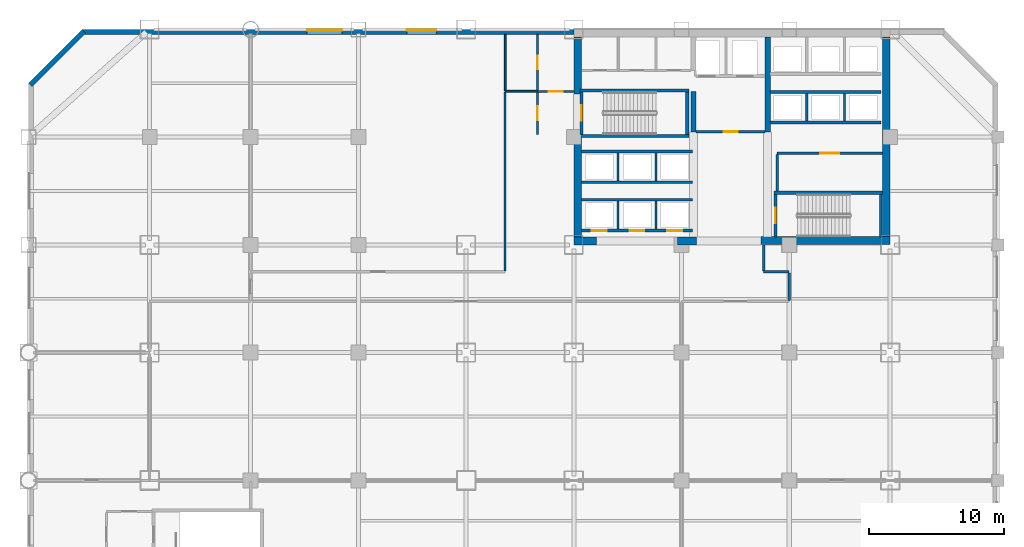
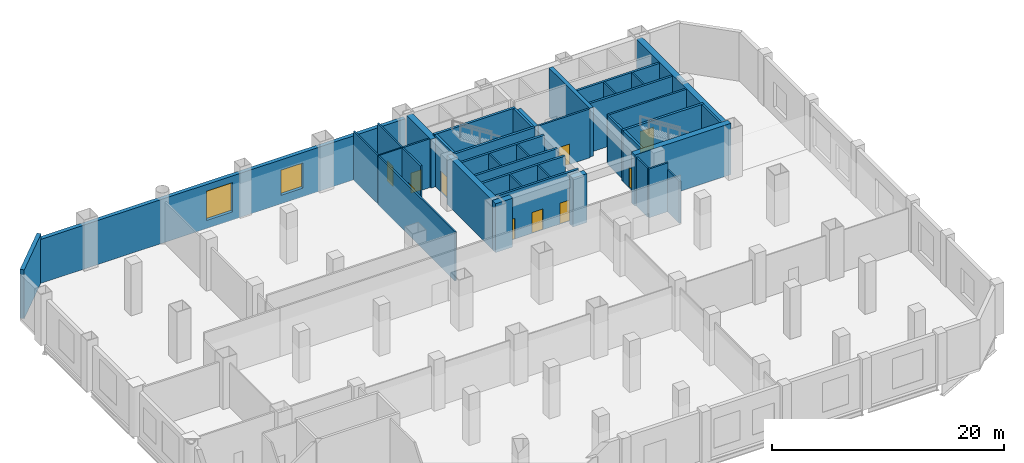
# One storey, part 6 of 9: 41 walls, 10 doors, 2 windows, 12 openings.
"""IFC4 building model written with IfcOpenShell, lengths in metres."""

from ifc_helpers import new_model, si_unit, direction, frame, frame_2d, origin, place, context, subcontext, project, spatial, rectangle, extrude, material, layer, layer_set, type_object, element, fill, save


model = new_model("IFC4")

# Units and contexts
model_context = context("Model", 3, precision=1e-05, world=origin(), true_north=direction((0.0, 1.0)))
body_context = subcontext(model_context, "Body", "Model", "MODEL_VIEW")
ifc_project = project(units=[si_unit("LENGTHUNIT", "METRE"), si_unit("AREAUNIT", "SQUARE_METRE"), si_unit("VOLUMEUNIT", "CUBIC_METRE"), si_unit("PLANEANGLEUNIT", "RADIAN"), si_unit("MASSUNIT", "GRAM", prefix="KILO")], contexts=[model_context])

# Site, building, storey
site_placement = place(None, origin())
site = spatial("IfcSite", under=ifc_project, at=site_placement, CompositionType="ELEMENT")
building_placement = place(site_placement, origin())
building = spatial("IfcBuilding", under=site, at=building_placement, Name="Qianrong Seaharbour Tower", CompositionType="ELEMENT")
storey_placement = place(building_placement, frame((0.0, 0.0, 22.800048828125)))
storey = spatial("IfcBuildingStorey", under=building, at=storey_placement, Name="L05", CompositionType="ELEMENT", Elevation=22.800048828125)

# Walls
ifc_material_1 = material(Name="Concrete C70/85", Category="concrete")
ifc_layer_1 = layer(ifc_material_1, 0.580078125)
ifc_layer_set_1 = layer_set([ifc_layer_1], Name="Concrete C70/85")
wall_type_1 = type_object("IfcWallType", Name="WALL-CORE-580", PredefinedType="SHEAR", material=ifc_layer_set_1)
wall_1_placement = place(storey_placement, frame((63.7099609375, 36.320068359375, 0.0), z_axis=(0.0, 0.0, 1.0), x_axis=(0.0, 1.0, 0.0)))
element("IfcWall", 1, at=wall_1_placement, inside=storey, type_object=wall_type_1, Name="L05 East Core Shear Wall", PredefinedType="SHEAR", context=body_context, shape_type="SweptSolid", body=[
    extrude(rectangle(XDim=15.099853515625, YDim=0.580078125, at=frame_2d((7.5498046875, 0.0))), origin(), (0.0, 0.0, 1.0), 5.14990234375),
])
wall_2_placement = place(storey_placement, frame((40.7900390625, 36.580078125, 0.0), z_axis=(0.0, 0.0, 1.0), x_axis=(0.0, 1.0, 0.0)))
element("IfcWall", 2, at=wall_2_placement, inside=storey, type_object=wall_type_1, Name="L05 West Core Shear Wall South", PredefinedType="SHEAR", context=body_context, shape_type="SweptSolid", body=[
    extrude(rectangle(XDim=7.81982421875, YDim=0.580078125, at=frame_2d((3.909912109375, 0.0))), origin(), (0.0, 0.0, 1.0), 5.14990234375),
])
wall_3_placement = place(storey_placement, frame((40.7900390625, 47.199951171875, 0.0), z_axis=(0.0, 0.0, 1.0), x_axis=(0.0, 1.0, 0.0)))
element("IfcWall", 3, at=wall_3_placement, inside=storey, type_object=wall_type_1, Name="L05 West Core Shear Wall North", PredefinedType="SHEAR", context=body_context, shape_type="SweptSolid", body=[
    extrude(rectangle(XDim=4.219970703125, YDim=0.580078125, at=frame_2d((2.10986328125, 0.0))), origin(), (0.0, 0.0, 1.0), 5.14990234375),
])
wall_4_placement = place(storey_placement, frame((40.5, 36.2900390625, 0.0), z_axis=(0.0, 0.0, 1.0), x_axis=(1.0, 0.0, 0.0)))
element("IfcWall", 4, at=wall_4_placement, inside=storey, type_object=wall_type_1, Name="L05 South Core Shear Wall S1", PredefinedType="SHEAR", context=body_context, shape_type="SweptSolid", body=[
    extrude(rectangle(XDim=1.699951171875, YDim=0.580078125, at=frame_2d((0.85009765625, 0.0))), origin(), (0.0, 0.0, 1.0), 5.14990234375),
])
wall_5_placement = place(storey_placement, frame((48.199951171875, 36.2900390625, 0.0), z_axis=(0.0, 0.0, 1.0), x_axis=(1.0, 0.0, 0.0)))
element("IfcWall", 5, at=wall_5_placement, inside=storey, type_object=wall_type_1, Name="L05 South Core Shear Wall S2", PredefinedType="SHEAR", context=body_context, shape_type="SweptSolid", body=[
    extrude(rectangle(XDim=1.400146484375, YDim=0.580078125, at=frame_2d((0.7001953125, 0.0))), origin(), (0.0, 0.0, 1.0), 5.14990234375),
])
wall_6_placement = place(storey_placement, frame((54.39990234375, 36.320068359375, 0.0), z_axis=(0.0, 0.0, 1.0), x_axis=(1.0, 0.0, 0.0)))
element("IfcWall", 6, at=wall_6_placement, inside=storey, type_object=wall_type_1, Name="L05 South Core Shear Wall S3", PredefinedType="SHEAR", context=body_context, shape_type="SweptSolid", body=[
    extrude(rectangle(XDim=9.60009765625, YDim=0.580078125, at=frame_2d((4.800048828125, 0.0))), origin(), (0.0, 0.0, 1.0), 5.39990234375),
])
ifc_material_2 = material(Name="Concrete C60/75", Category="concrete")
ifc_layer_2 = layer(ifc_material_2, 0.3798828125)
ifc_layer_set_2 = layer_set([ifc_layer_2], Name="Concrete C60/75")
wall_type_2 = type_object("IfcWallType", Name="WALL-CORE-INT-380", PredefinedType="SHEAR", material=ifc_layer_set_2)
wall_7_placement = place(storey_placement, frame((49.39990234375, 44.39990234375, 0.0), z_axis=(0.0, 0.0, 1.0), x_axis=(0.0, 1.0, 0.0)))
element("IfcWall", 7, at=wall_7_placement, inside=storey, type_object=wall_type_2, Name="L05 Internal Core Shear Wall IW1N1", PredefinedType="SHEAR", context=body_context, shape_type="SweptSolid", body=[
    extrude(rectangle(XDim=3.0, YDim=0.3798828125, at=frame_2d((1.5, 0.0))), origin(), (0.0, 0.0, 1.0), 5.14990234375),
])
wall_8_placement = place(storey_placement, frame((54.89990234375, 44.39990234375, 0.0), z_axis=(0.0, 0.0, 1.0), x_axis=(0.0, 1.0, 0.0)))
element("IfcWall", 8, at=wall_8_placement, inside=storey, type_object=wall_type_2, Name="L05 Internal Core Shear Wall IW2N", PredefinedType="SHEAR", context=body_context, shape_type="SweptSolid", body=[
    extrude(rectangle(XDim=7.02001953125, YDim=0.3798828125, at=frame_2d((3.510009765625, 0.0))), origin(), (0.0, 0.0, 1.0), 5.14990234375),
])

# Wall, opening, door
ifc_material_3 = material(Name="Fire-rated acoustic gypsum board partition")
ifc_layer_3 = layer(ifc_material_3, 0.1650390625)
ifc_layer_set_3 = layer_set([ifc_layer_3], Name="Fire-rated acoustic gypsum board partition")
wall_type_3 = type_object("IfcWallType", Name="WALL-CORR-PART-165", PredefinedType="PARTITIONING", material=ifc_layer_set_3)
wall_9_placement = place(storey_placement, frame((37.800048828125, 47.39990234375, 0.0), z_axis=(0.0, 0.0, 1.0), x_axis=(1.0, 0.0, 0.0)))
wall_9 = element("IfcWall", 9, at=wall_9_placement, inside=storey, type_object=wall_type_3, Name="L05 Interior Partition Wall 001", PredefinedType="PARTITIONING", context=body_context, shape_type="SweptSolid", body=[
    extrude(rectangle(XDim=2.699951171875, YDim=0.1650390625, at=frame_2d((1.35009765625, 0.0))), origin(), (0.0, 0.0, 1.0), 5.14990234375),
])
opening_1_placement = place(wall_9_placement, frame((0.824951171875, 0.0, 0.0)))
opening_1 = element("IfcOpeningElement", 10, at=opening_1_placement, cuts=wall_9, Name="Opening DC-01", PredefinedType="OPENING", context=body_context, shape_type="SweptSolid", body=[
    extrude(rectangle(XDim=1.050048828125, YDim=2.14990234375, at=frame_2d((0.52490234375, 1.074951171875))), frame((0.0, 0.092529296875, 0.0), z_axis=(0.0, -1.0, 0.0), x_axis=(1.0, 0.0, 0.0)), (0.0, 0.0, 1.0), 0.18505859375),
])
ifc_material_4 = material(Name="Acoustic timber and galvanized steel fire door assembly", Category="steel")
door_type_1 = type_object("IfcDoorType", Name="DOOR-CORR-FD60-1050x2150", OperationType="NOTDEFINED", PredefinedType="DOOR", material=ifc_material_4)
door_1_placement = place(opening_1_placement, origin())
door_1 = element("IfcDoor", 11, at=door_1_placement, inside=storey, type_object=door_type_1, Name="L05 Smokeproof Stair Vestibule ST-1 Door", OperationType="SINGLE_SWING_RIGHT", OverallHeight=2.14990234375, OverallWidth=1.050048828125, PredefinedType="DOOR", context=body_context, shape_type="SweptSolid", body=[
    extrude(rectangle(XDim=1.050048828125, YDim=2.14990234375, at=frame_2d((0.52490234375, 1.074951171875))), frame((0.0, 0.02490234375, 0.0), z_axis=(0.0, -1.0, 0.0), x_axis=(1.0, 0.0, 0.0)), (0.0, 0.0, 1.0), 0.050048828125),
])
fill(opening_1, door_1)

wall_10_placement = place(storey_placement, frame((37.800048828125, 44.199951171875, 0.0), z_axis=(0.0, 0.0, 1.0), x_axis=(0.0, 1.0, 0.0)))
wall_10 = element("IfcWall", 12, at=wall_10_placement, inside=storey, type_object=wall_type_3, Name="L05 Interior Partition Wall 002", PredefinedType="PARTITIONING", context=body_context, shape_type="SweptSolid", body=[
    extrude(rectangle(XDim=3.12548828125, YDim=0.1650390625, at=frame_2d((1.562744140625, 0.0))), origin(), (0.0, 0.0, 1.0), 5.14990234375),
])
opening_2_placement = place(wall_10_placement, frame((1.03759765625, 0.0, 0.0)))
opening_2 = element("IfcOpeningElement", 13, at=opening_2_placement, cuts=wall_10, Name="Opening DC-01", PredefinedType="OPENING", context=body_context, shape_type="SweptSolid", body=[
    extrude(rectangle(XDim=1.050048828125, YDim=2.14990234375, at=frame_2d((0.52490234375, 1.074951171875))), frame((0.0, 0.092529296875, 0.0), z_axis=(0.0, -1.0, 0.0), x_axis=(1.0, 0.0, 0.0)), (0.0, 0.0, 1.0), 0.18505859375),
])
door_2_placement = place(opening_2_placement, origin())
door_2 = element("IfcDoor", 14, at=door_2_placement, inside=storey, type_object=door_type_1, Name="L05 Smokeproof Stair Vestibule ST-1 Door", OperationType="SINGLE_SWING_LEFT", OverallHeight=2.14990234375, OverallWidth=1.050048828125, PredefinedType="DOOR", context=body_context, shape_type="SweptSolid", body=[
    extrude(rectangle(XDim=1.050048828125, YDim=2.14990234375, at=frame_2d((0.52490234375, 1.074951171875))), frame((0.0, 0.02490234375, 0.0), z_axis=(0.0, -1.0, 0.0), x_axis=(1.0, 0.0, 0.0)), (0.0, 0.0, 1.0), 0.050048828125),
])
fill(opening_2, door_2)

# Walls
wall_11_placement = place(storey_placement, frame((54.60009765625, 36.0, 0.0), z_axis=(0.0, 0.0, 1.0), x_axis=(0.0, -1.0, 0.0)))
element("IfcWall", 15, at=wall_11_placement, inside=storey, type_object=wall_type_3, Name="L05 Interior Partition Wall 019", PredefinedType="PARTITIONING", context=body_context, shape_type="SweptSolid", body=[
    extrude(rectangle(XDim=1.925537109375, YDim=0.1650390625, at=frame_2d((0.962890625, 0.0))), origin(), (0.0, 0.0, 1.0), 5.14990234375),
])
wall_12_placement = place(storey_placement, frame((54.60009765625, 34.0, 0.0), z_axis=(0.0, 0.0, 1.0), x_axis=(1.0, 0.0, 0.0)))
element("IfcWall", 16, at=wall_12_placement, inside=storey, type_object=wall_type_3, Name="L05 Interior Partition Wall 020", PredefinedType="PARTITIONING", context=body_context, shape_type="SweptSolid", body=[
    extrude(rectangle(XDim=1.89990234375, YDim=0.1650390625, at=frame_2d((0.949951171875, 0.0))), origin(), (0.0, 0.0, 1.0), 5.14990234375),
])
wall_13_placement = place(storey_placement, frame((56.5, 33.925537109375, 0.0), z_axis=(0.0, 0.0, 1.0), x_axis=(0.0, -1.0, 0.0)))
element("IfcWall", 17, at=wall_13_placement, inside=storey, type_object=wall_type_3, Name="L05 Interior Partition Wall 021", PredefinedType="PARTITIONING", context=body_context, shape_type="SweptSolid", body=[
    extrude(rectangle(XDim=2.051025390625, YDim=0.1650390625, at=frame_2d((1.025390625, 0.0))), origin(), (0.0, 0.0, 1.0), 4.44189453125),
])
wall_14_placement = place(storey_placement, frame((35.39990234375, 34.074462890625, 0.0), z_axis=(0.0, 0.0, 1.0), x_axis=(0.0, 1.0, 0.0)))
element("IfcWall", 18, at=wall_14_placement, inside=storey, type_object=wall_type_3, Name="L05 Interior Partition Wall 024", PredefinedType="PARTITIONING", context=body_context, shape_type="SweptSolid", body=[
    extrude(rectangle(XDim=13.2685546875, YDim=0.1650390625, at=frame_2d((6.63427734375, 0.0))), origin(), (0.0, 0.0, 1.0), 5.14990234375),
])
ifc_material_5 = material(Name="Natural honed granite dimension stone", Category="masonry")
ifc_layer_4 = layer(ifc_material_5, 0.3798828125)
ifc_layer_set_4 = layer_set([ifc_layer_4], Name="Natural honed granite dimension stone")
wall_type_4 = type_object("IfcWallType", Name="WALL-EXT-GRANITE-380", PredefinedType="SOLIDWALL", material=ifc_layer_set_4)
wall_15_placement = place(storey_placement, frame((0.13427734375, 47.86572265625, 0.0), z_axis=(0.0, 0.0, 1.0), x_axis=(0.707106781187, 0.707106781187, 0.0)))
element("IfcWall", 19, at=wall_15_placement, inside=storey, type_object=wall_type_4, Name="L05 Exterior Masonry Facade Wall E01", PredefinedType="SOLIDWALL", context=body_context, shape_type="SweptSolid", body=[
    extrude(rectangle(XDim=5.65673828125, YDim=0.3798828125, at=frame_2d((2.828369140625, 0.0))), origin(), (0.0, 0.0, 1.0), 5.14990234375),
])

# Wall, openings, windows
wall_16_placement = place(storey_placement, frame((4.0, 51.81005859375, 0.0), z_axis=(0.0, 0.0, 1.0), x_axis=(1.0, 0.0, 0.0)))
wall_16 = element("IfcWall", 20, at=wall_16_placement, inside=storey, type_object=wall_type_4, Name="L05 Exterior Masonry Facade Wall NORTH_WING", PredefinedType="SOLIDWALL", context=body_context, shape_type="SweptSolid", body=[
    extrude(rectangle(XDim=36.52001953125, YDim=0.3798828125, at=frame_2d((18.260009765625, 0.0))), origin(), (0.0, 0.0, 1.0), 4.64990234375),
])
opening_3_placement = place(wall_16_placement, frame((16.699951171875, 0.0, 0.85009765625)))
opening_3 = element("IfcOpeningElement", 21, at=opening_3_placement, cuts=wall_16, Name="Opening WN-11", PredefinedType="OPENING", context=body_context, shape_type="SweptSolid", body=[
    extrude(rectangle(XDim=2.60009765625, YDim=3.10009765625, at=frame_2d((1.300048828125, 1.550048828125))), frame((0.0, 0.199951171875, 0.0), z_axis=(0.0, -1.0, 0.0), x_axis=(1.0, 0.0, 0.0)), (0.0, 0.0, 1.0), 0.39990234375),
])
opening_4_placement = place(wall_16_placement, frame((24.10009765625, 0.0, 0.89990234375)))
opening_4 = element("IfcOpeningElement", 22, at=opening_4_placement, cuts=wall_16, Name="Opening WN-10", PredefinedType="OPENING", context=body_context, shape_type="SweptSolid", body=[
    extrude(rectangle(XDim=2.199951171875, YDim=2.64990234375, at=frame_2d((1.10009765625, 1.324951171875))), frame((0.0, 0.199951171875, 0.0), z_axis=(0.0, -1.0, 0.0), x_axis=(1.0, 0.0, 0.0)), (0.0, 0.0, 1.0), 0.39990234375),
])
ifc_material_6 = material(Name="Insulated low-e double glazing in thermally broken aluminium 6063-T6 frame", Category="aluminium")
window_type_1 = type_object("IfcWindowType", Name="WIN-POD-2600x3100", PartitioningType="TRIPLE_PANEL_VERTICAL", PredefinedType="WINDOW", material=ifc_material_6)
window_1_placement = place(opening_3_placement, origin())
window_1 = element("IfcWindow", 23, at=window_1_placement, inside=storey, type_object=window_type_1, Name="L05 Deep-Set Punched Window 02.05", OverallHeight=3.10009765625, OverallWidth=2.60009765625, PartitioningType="TRIPLE_PANEL_VERTICAL", PredefinedType="WINDOW", context=body_context, shape_type="SweptSolid", body=[
    extrude(rectangle(XDim=2.60009765625, YDim=3.10009765625, at=frame_2d((1.300048828125, 1.550048828125))), frame((0.0, 0.150146484375, 0.0), z_axis=(0.0, -1.0, 0.0), x_axis=(1.0, 0.0, 0.0)), (0.0, 0.0, 1.0), 0.06005859375),
])
fill(opening_3, window_1)
window_type_2 = type_object("IfcWindowType", Name="WIN-PUNCH-2200x2650", PartitioningType="TRIPLE_PANEL_VERTICAL", PredefinedType="WINDOW", material=ifc_material_6)
window_2_placement = place(opening_4_placement, origin())
window_2 = element("IfcWindow", 24, at=window_2_placement, inside=storey, type_object=window_type_2, Name="L05 Deep-Set Punched Window 02.07", OverallHeight=2.64990234375, OverallWidth=2.199951171875, PartitioningType="TRIPLE_PANEL_VERTICAL", PredefinedType="WINDOW", context=body_context, shape_type="SweptSolid", body=[
    extrude(rectangle(XDim=2.199951171875, YDim=2.64990234375, at=frame_2d((1.10009765625, 1.324951171875))), frame((0.0, 0.150146484375, 0.0), z_axis=(0.0, -1.0, 0.0), x_axis=(1.0, 0.0, 0.0)), (0.0, 0.0, 1.0), 0.06005859375),
])
fill(opening_4, window_2)

# Wall, opening, door
ifc_material_7 = material(Name="Double fire-rated gypsum board acoustic partition")
ifc_layer_5 = layer(ifc_material_7, 0.18994140625)
ifc_layer_set_5 = layer_set([ifc_layer_5], Name="Double fire-rated gypsum board acoustic partition")
wall_type_5 = type_object("IfcWallType", Name="WALL-FIRE-PART-190", PredefinedType="PARTITIONING", material=ifc_layer_set_5)
wall_17_placement = place(storey_placement, frame((54.718017578125, 44.39990234375, 0.0), z_axis=(0.0, 0.0, 1.0), x_axis=(-1.0, 0.0, 0.0)))
wall_17 = element("IfcWall", 25, at=wall_17_placement, inside=storey, type_object=wall_type_5, Name="L05 Interior Partition Wall 009", PredefinedType="PARTITIONING", context=body_context, shape_type="SweptSolid", body=[
    extrude(rectangle(XDim=5.135986328125, YDim=0.18994140625, at=frame_2d((2.56787109375, 0.0))), origin(), (0.0, 0.0, 1.0), 5.14990234375),
])
opening_5_placement = place(wall_17_placement, frame((2.04296875, 0.0, 0.0)))
opening_5 = element("IfcOpeningElement", 26, at=opening_5_placement, cuts=wall_17, Name="Opening DC-01", PredefinedType="OPENING", context=body_context, shape_type="SweptSolid", body=[
    extrude(rectangle(XDim=1.050048828125, YDim=2.14990234375, at=frame_2d((0.52490234375, 1.074951171875))), frame((0.0, 0.10498046875, 0.0), z_axis=(0.0, -1.0, 0.0), x_axis=(1.0, 0.0, 0.0)), (0.0, 0.0, 1.0), 0.2099609375),
])
door_3_placement = place(opening_5_placement, origin())
door_3 = element("IfcDoor", 27, at=door_3_placement, inside=storey, type_object=door_type_1, Name="L05 Firefighting Lift Lobby Door", OperationType="SINGLE_SWING_LEFT", OverallHeight=2.14990234375, OverallWidth=1.050048828125, PredefinedType="DOOR", context=body_context, shape_type="SweptSolid", body=[
    extrude(rectangle(XDim=1.050048828125, YDim=2.14990234375, at=frame_2d((0.52490234375, 1.074951171875))), frame((0.0, 0.02490234375, 0.0), z_axis=(0.0, -1.0, 0.0), x_axis=(1.0, 0.0, 0.0)), (0.0, 0.0, 1.0), 0.050048828125),
])
fill(opening_5, door_3)

# Wall
wall_18_placement = place(storey_placement, frame((55.60009765625, 42.712890625, 0.0), z_axis=(0.0, 0.0, 1.0), x_axis=(0.0, -1.0, 0.0)))
element("IfcWall", 28, at=wall_18_placement, inside=storey, type_object=wall_type_5, Name="L05 Interior Partition Wall 010", PredefinedType="PARTITIONING", context=body_context, shape_type="SweptSolid", body=[
    extrude(rectangle(XDim=2.73095703125, YDim=0.18994140625, at=frame_2d((1.365478515625, 0.0))), origin(), (0.0, 0.0, 1.0), 5.14990234375),
])

# Wall, opening, door
wall_19_placement = place(storey_placement, frame((63.419921875, 42.800048828125, 0.0), z_axis=(0.0, 0.0, 1.0), x_axis=(-1.0, 0.0, 0.0)))
wall_19 = element("IfcWall", 29, at=wall_19_placement, inside=storey, type_object=wall_type_5, Name="L05 Interior Partition Wall 011", PredefinedType="PARTITIONING", context=body_context, shape_type="SweptSolid", body=[
    extrude(rectangle(XDim=7.81982421875, YDim=0.18994140625, at=frame_2d((3.909912109375, 0.0))), origin(), (0.0, 0.0, 1.0), 5.14990234375),
])
opening_6_placement = place(wall_19_placement, frame((3.2099609375, 0.0, 0.0)))
opening_6 = element("IfcOpeningElement", 30, at=opening_6_placement, cuts=wall_19, Name="Opening DP-01", PredefinedType="OPENING", context=body_context, shape_type="SweptSolid", body=[
    extrude(rectangle(XDim=1.39990234375, YDim=2.25, at=frame_2d((0.699951171875, 1.125))), frame((0.0, 0.10498046875, 0.0), z_axis=(0.0, -1.0, 0.0), x_axis=(1.0, 0.0, 0.0)), (0.0, 0.0, 1.0), 0.2099609375),
])
door_type_2 = type_object("IfcDoorType", Name="DOOR-PLANT-PAIR-1400x2250", OperationType="DOUBLE_DOOR_SINGLE_SWING", PredefinedType="DOOR", material=ifc_material_4)
door_4_placement = place(opening_6_placement, origin())
door_4 = element("IfcDoor", 31, at=door_4_placement, inside=storey, type_object=door_type_2, Name="L05 Core Telecom Hub Room Door", OperationType="DOUBLE_DOOR_SINGLE_SWING", OverallHeight=2.25, OverallWidth=1.39990234375, PredefinedType="DOOR", context=body_context, shape_type="SweptSolid", body=[
    extrude(rectangle(XDim=1.39990234375, YDim=2.25, at=frame_2d((0.699951171875, 1.125))), frame((0.0, 0.02490234375, 0.0), z_axis=(0.0, -1.0, 0.0), x_axis=(1.0, 0.0, 0.0)), (0.0, 0.0, 1.0), 0.050048828125),
])
fill(opening_6, door_4)

# Walls
ifc_material_8 = material(Name="Fire-rated gypsum board on steel studs", Category="steel")
ifc_layer_6 = layer(ifc_material_8, 0.14990234375)
ifc_layer_set_6 = layer_set([ifc_layer_6], Name="Fire-rated gypsum board on steel studs")
wall_type_6 = type_object("IfcWallType", Name="WALL-SHAFT-DIV-150", PredefinedType="PARTITIONING", material=ifc_layer_set_6)
for number, where, z_axis, x_axis, name in (
    (32, (43.800048828125, 37.159912109375, 0.0), (0.0, 0.0, 1.0), (0.0, 1.0, 0.0), "L05 P1 Lift Hoistway Divider 2"),
    (33, (46.60009765625, 37.159912109375, 0.0), (0.0, 0.0, 1.0), (0.0, 1.0, 0.0), "L05 P1 Lift Hoistway Divider 3"),
    (34, (43.800048828125, 40.760009765625, 0.0), (0.0, 0.0, 1.0), (0.0, 1.0, 0.0), "L05 P2 Lift Hoistway Divider 2"),
    (35, (46.60009765625, 40.760009765625, 0.0), (0.0, 0.0, 1.0), (0.0, 1.0, 0.0), "L05 P2 Lift Hoistway Divider 3"),
):
    element("IfcWall", number, at=place(storey_placement, frame(where, z_axis=z_axis, x_axis=x_axis)), inside=storey, type_object=wall_type_6, Name=name, PredefinedType="PARTITIONING", context=body_context, shape_type="SweptSolid", body=[
        extrude(rectangle(XDim=2.080078125, YDim=0.14990234375, at=frame_2d((1.0400390625, 0.0))), origin(), (0.0, 0.0, 1.0), 5.14990234375),
    ])
for number, where, z_axis, x_axis, name in (
    (36, (57.800048828125, 45.2099609375, 0.0), (0.0, 0.0, 1.0), (0.0, 1.0, 0.0), "L05 P3 Lift Hoistway Divider 2"),
    (37, (60.60009765625, 45.2099609375, 0.0), (0.0, 0.0, 1.0), (0.0, 1.0, 0.0), "L05 P3 Lift Hoistway Divider 3"),
):
    element("IfcWall", number, at=place(storey_placement, frame(where, z_axis=z_axis, x_axis=x_axis)), inside=storey, type_object=wall_type_6, Name=name, PredefinedType="PARTITIONING", context=body_context, shape_type="SweptSolid", body=[
        extrude(rectangle(XDim=2.030029296875, YDim=0.14990234375, at=frame_2d((1.01513671875, 0.0))), origin(), (0.0, 0.0, 1.0), 5.14990234375),
    ])

# Wall, openings, doors
ifc_layer_7 = layer(ifc_material_8, 0.219970703125)
ifc_layer_set_7 = layer_set([ifc_layer_7], Name="Fire-rated gypsum board on steel studs")
wall_type_7 = type_object("IfcWallType", Name="WALL-SHAFT-GYP220", PredefinedType="PARTITIONING", material=ifc_layer_set_7)
wall_20_placement = place(storey_placement, frame((49.320068359375, 37.050048828125, 0.0), z_axis=(0.0, 0.0, 1.0), x_axis=(-1.0, 0.0, 0.0)))
wall_20 = element("IfcWall", 38, at=wall_20_placement, inside=storey, type_object=wall_type_7, Name="L05 P1 Lift Hoistway Front Wall", PredefinedType="PARTITIONING", context=body_context, shape_type="SweptSolid", body=[
    extrude(rectangle(XDim=8.239990234375, YDim=0.219970703125, at=frame_2d((4.1201171875, 0.0))), origin(), (0.0, 0.0, 1.0), 5.14990234375),
])
opening_7_placement = place(wall_20_placement, frame((6.3701171875, 0.0, 0.0)))
opening_7 = element("IfcOpeningElement", 39, at=opening_7_placement, cuts=wall_20, Name="Opening LD-02", PredefinedType="OPENING", context=body_context, shape_type="SweptSolid", body=[
    extrude(rectangle(XDim=1.10009765625, YDim=2.199951171875, at=frame_2d((0.550048828125, 1.10009765625))), frame((0.0, 0.1201171875, 0.0), z_axis=(0.0, -1.0, 0.0), x_axis=(1.0, 0.0, 0.0)), (0.0, 0.0, 1.0), 0.239990234375),
])
opening_8_placement = place(wall_20_placement, frame((3.570068359375, 0.0, 0.0)))
opening_8 = element("IfcOpeningElement", 40, at=opening_8_placement, cuts=wall_20, Name="Opening LD-02", PredefinedType="OPENING", context=body_context, shape_type="SweptSolid", body=[
    extrude(rectangle(XDim=1.10009765625, YDim=2.199951171875, at=frame_2d((0.550048828125, 1.10009765625))), frame((0.0, 0.1201171875, 0.0), z_axis=(0.0, -1.0, 0.0), x_axis=(1.0, 0.0, 0.0)), (0.0, 0.0, 1.0), 0.239990234375),
])
opening_9_placement = place(wall_20_placement, frame((0.77001953125, 0.0, 0.0)))
opening_9 = element("IfcOpeningElement", 41, at=opening_9_placement, cuts=wall_20, Name="Opening LD-02", PredefinedType="OPENING", context=body_context, shape_type="SweptSolid", body=[
    extrude(rectangle(XDim=1.10009765625, YDim=2.199951171875, at=frame_2d((0.550048828125, 1.10009765625))), frame((0.0, 0.1201171875, 0.0), z_axis=(0.0, -1.0, 0.0), x_axis=(1.0, 0.0, 0.0)), (0.0, 0.0, 1.0), 0.239990234375),
])
ifc_material_9 = material(Name="Stainless steel SUS316L bi-parting lift landing door", Category="steel")
door_type_3 = type_object("IfcDoorType", Name="DOOR-LIFT-PASS-1100x2200", OperationType="DOUBLE_DOOR_SLIDING", PredefinedType="DOOR", material=ifc_material_9)
door_5_placement = place(opening_7_placement, origin())
door_5 = element("IfcDoor", 42, at=door_5_placement, inside=storey, type_object=door_type_3, Name="L05 PL-1A Lift Landing Door", OperationType="DOUBLE_DOOR_SLIDING", OverallHeight=2.199951171875, OverallWidth=1.10009765625, PredefinedType="DOOR", context=body_context, shape_type="SweptSolid", body=[
    extrude(rectangle(XDim=1.10009765625, YDim=2.199951171875, at=frame_2d((0.550048828125, 1.10009765625))), frame((0.0, 0.02490234375, 0.0), z_axis=(0.0, -1.0, 0.0), x_axis=(1.0, 0.0, 0.0)), (0.0, 0.0, 1.0), 0.050048828125),
])
fill(opening_7, door_5)
door_6_placement = place(opening_8_placement, origin())
door_6 = element("IfcDoor", 43, at=door_6_placement, inside=storey, type_object=door_type_3, Name="L05 PL-1B Lift Landing Door", OperationType="DOUBLE_DOOR_SLIDING", OverallHeight=2.199951171875, OverallWidth=1.10009765625, PredefinedType="DOOR", context=body_context, shape_type="SweptSolid", body=[
    extrude(rectangle(XDim=1.10009765625, YDim=2.199951171875, at=frame_2d((0.550048828125, 1.10009765625))), frame((0.0, 0.02490234375, 0.0), z_axis=(0.0, -1.0, 0.0), x_axis=(1.0, 0.0, 0.0)), (0.0, 0.0, 1.0), 0.050048828125),
])
fill(opening_8, door_6)
door_7_placement = place(opening_9_placement, origin())
door_7 = element("IfcDoor", 44, at=door_7_placement, inside=storey, type_object=door_type_3, Name="L05 PL-1C Lift Landing Door", OperationType="DOUBLE_DOOR_SLIDING", OverallHeight=2.199951171875, OverallWidth=1.10009765625, PredefinedType="DOOR", context=body_context, shape_type="SweptSolid", body=[
    extrude(rectangle(XDim=1.10009765625, YDim=2.199951171875, at=frame_2d((0.550048828125, 1.10009765625))), frame((0.0, 0.02490234375, 0.0), z_axis=(0.0, -1.0, 0.0), x_axis=(1.0, 0.0, 0.0)), (0.0, 0.0, 1.0), 0.050048828125),
])
fill(opening_9, door_7)

# Walls
for number, where, z_axis, x_axis, name in (
    (45, (41.080078125, 39.35009765625, 0.0), (0.0, 0.0, 1.0), (1.0, 0.0, 0.0), "L05 P1 Lift Hoistway Back Wall"),
    (46, (49.320068359375, 40.64990234375, 0.0), (0.0, 0.0, 1.0), (-1.0, 0.0, 0.0), "L05 P2 Lift Hoistway Front Wall"),
    (47, (41.080078125, 42.949951171875, 0.0), (0.0, 0.0, 1.0), (1.0, 0.0, 0.0), "L05 P2 Lift Hoistway Back Wall"),
    (48, (63.320068359375, 45.10009765625, 0.0), (0.0, 0.0, 1.0), (-1.0, 0.0, 0.0), "L05 P3 Lift Hoistway Front Wall"),
    (49, (55.080078125, 47.35009765625, 0.0), (0.0, 0.0, 1.0), (1.0, 0.0, 0.0), "L05 P3 Lift Hoistway Back Wall"),
):
    element("IfcWall", number, at=place(storey_placement, frame(where, z_axis=z_axis, x_axis=x_axis)), inside=storey, type_object=wall_type_7, Name=name, PredefinedType="PARTITIONING", context=body_context, shape_type="SweptSolid", body=[
        extrude(rectangle(XDim=8.239990234375, YDim=0.219970703125, at=frame_2d((4.1201171875, 0.0))), origin(), (0.0, 0.0, 1.0), 5.14990234375),
    ])
ifc_material_10 = material(Name="Concrete C50/60", Category="concrete")
ifc_layer_8 = layer(ifc_material_10, 0.239990234375)
ifc_layer_set_8 = layer_set([ifc_layer_8], Name="Concrete C50/60")
wall_type_8 = type_object("IfcWallType", Name="WALL-SHAFT-RC240", PredefinedType="SOLIDWALL", material=ifc_layer_set_8)
for number, where, z_axis, x_axis, name in (
    (50, (40.9599609375, 47.469970703125, 0.0), (0.0, 0.0, 1.0), (1.0, 0.0, 0.0), "L05 ST-1 Structural Stair Core Wall N"),
    (51, (49.0400390625, 44.080078125, 0.0), (0.0, 0.0, 1.0), (-1.0, 0.0, 0.0), "L05 ST-1 Structural Stair Core Wall S"),
):
    element("IfcWall", number, at=place(storey_placement, frame(where, z_axis=z_axis, x_axis=x_axis)), inside=storey, type_object=wall_type_8, Name=name, PredefinedType="SOLIDWALL", context=body_context, shape_type="SweptSolid", body=[
        extrude(rectangle(XDim=8.080078125, YDim=0.239990234375, at=frame_2d((4.0400390625, 0.0))), origin(), (0.0, 0.0, 1.0), 5.39990234375),
    ])

# Wall, opening, door
wall_21_placement = place(storey_placement, frame((41.080078125, 47.35009765625, 0.0), z_axis=(0.0, 0.0, 1.0), x_axis=(0.0, -1.0, 0.0)))
wall_21 = element("IfcWall", 52, at=wall_21_placement, inside=storey, type_object=wall_type_8, Name="L05 ST-1 Structural Stair Core Wall W", PredefinedType="SOLIDWALL", context=body_context, shape_type="SweptSolid", body=[
    extrude(rectangle(XDim=3.150146484375, YDim=0.239990234375, at=frame_2d((1.5751953125, 0.0))), origin(), (0.0, 0.0, 1.0), 5.39990234375),
])
opening_10_placement = place(wall_21_placement, frame((1.0, 0.0, 0.0)))
opening_10 = element("IfcOpeningElement", 53, at=opening_10_placement, cuts=wall_21, Name="Opening SD-01", PredefinedType="OPENING", context=body_context, shape_type="SweptSolid", body=[
    extrude(rectangle(XDim=1.14990234375, YDim=2.199951171875, at=frame_2d((0.574951171875, 1.10009765625))), frame((0.0, 0.1298828125, 0.0), z_axis=(0.0, -1.0, 0.0), x_axis=(1.0, 0.0, 0.0)), (0.0, 0.0, 1.0), 0.260009765625),
])
door_type_4 = type_object("IfcDoorType", Name="DOOR-STAIR-FD60-1150x2200", OperationType="NOTDEFINED", PredefinedType="DOOR", material=ifc_material_4)
door_8_placement = place(opening_10_placement, origin())
door_8 = element("IfcDoor", 54, at=door_8_placement, inside=storey, type_object=door_type_4, Name="L05 ST-1 Protected Stair Door", OperationType="SINGLE_SWING_RIGHT", OverallHeight=2.199951171875, OverallWidth=1.14990234375, PredefinedType="DOOR", context=body_context, shape_type="SweptSolid", body=[
    extrude(rectangle(XDim=1.14990234375, YDim=2.199951171875, at=frame_2d((0.574951171875, 1.10009765625))), frame((0.0, 0.02490234375, 0.0), z_axis=(0.0, -1.0, 0.0), x_axis=(1.0, 0.0, 0.0)), (0.0, 0.0, 1.0), 0.050048828125),
])
fill(opening_10, door_8)

# Walls
wall_22_placement = place(storey_placement, frame((48.919921875, 44.199951171875, 0.0), z_axis=(0.0, 0.0, 1.0), x_axis=(0.0, 1.0, 0.0)))
element("IfcWall", 55, at=wall_22_placement, inside=storey, type_object=wall_type_8, Name="L05 ST-1 Structural Stair Core Wall E", PredefinedType="SOLIDWALL", context=body_context, shape_type="SweptSolid", body=[
    extrude(rectangle(XDim=3.150146484375, YDim=0.239990234375, at=frame_2d((1.5751953125, 0.0))), origin(), (0.0, 0.0, 1.0), 5.39990234375),
])
wall_23_placement = place(storey_placement, frame((55.360107421875, 39.8701171875, 0.0), z_axis=(0.0, 0.0, 1.0), x_axis=(1.0, 0.0, 0.0)))
element("IfcWall", 56, at=wall_23_placement, inside=storey, type_object=wall_type_8, Name="L05 ST-2 Structural Stair Core Wall N", PredefinedType="SOLIDWALL", context=body_context, shape_type="SweptSolid", body=[
    extrude(rectangle(XDim=8.079833984375, YDim=0.239990234375, at=frame_2d((4.0400390625, 0.0))), origin(), (0.0, 0.0, 1.0), 5.39990234375),
])

# Wall, opening, door
wall_24_placement = place(storey_placement, frame((55.47998046875, 39.75, 0.0), z_axis=(0.0, 0.0, 1.0), x_axis=(0.0, -1.0, 0.0)))
wall_24 = element("IfcWall", 57, at=wall_24_placement, inside=storey, type_object=wall_type_8, Name="L05 ST-2 Structural Stair Core Wall W", PredefinedType="SOLIDWALL", context=body_context, shape_type="SweptSolid", body=[
    extrude(rectangle(XDim=3.14990234375, YDim=0.239990234375, at=frame_2d((1.574951171875, 0.0))), origin(), (0.0, 0.0, 1.0), 5.39990234375),
])
opening_11_placement = place(wall_24_placement, frame((1.0, 0.0, 0.0)))
opening_11 = element("IfcOpeningElement", 58, at=opening_11_placement, cuts=wall_24, Name="Opening SD-01", PredefinedType="OPENING", context=body_context, shape_type="SweptSolid", body=[
    extrude(rectangle(XDim=1.14990234375, YDim=2.199951171875, at=frame_2d((0.574951171875, 1.10009765625))), frame((0.0, 0.1298828125, 0.0), z_axis=(0.0, -1.0, 0.0), x_axis=(1.0, 0.0, 0.0)), (0.0, 0.0, 1.0), 0.260009765625),
])
door_9_placement = place(opening_11_placement, origin())
door_9 = element("IfcDoor", 59, at=door_9_placement, inside=storey, type_object=door_type_4, Name="L05 ST-2 Protected Stair Door", OperationType="SINGLE_SWING_RIGHT", OverallHeight=2.199951171875, OverallWidth=1.14990234375, PredefinedType="DOOR", context=body_context, shape_type="SweptSolid", body=[
    extrude(rectangle(XDim=1.14990234375, YDim=2.199951171875, at=frame_2d((0.574951171875, 1.10009765625))), frame((0.0, 0.02490234375, 0.0), z_axis=(0.0, -1.0, 0.0), x_axis=(1.0, 0.0, 0.0)), (0.0, 0.0, 1.0), 0.050048828125),
])
fill(opening_11, door_9)

# Wall
wall_25_placement = place(storey_placement, frame((63.2900390625, 36.60009765625, 0.0), z_axis=(0.0, 0.0, 1.0), x_axis=(0.0, 1.0, 0.0)))
element("IfcWall", 60, at=wall_25_placement, inside=storey, type_object=wall_type_8, Name="L05 ST-2 Structural Stair Core Wall E", PredefinedType="SOLIDWALL", context=body_context, shape_type="SweptSolid", body=[
    extrude(rectangle(XDim=3.14990234375, YDim=0.179931640625, at=frame_2d((1.574951171875, 0.0))), origin(), (0.0, 0.0, 1.0), 5.39990234375),
])

# Wall, opening, door
ifc_material_11 = material(Name="Water-resistant cement board sanitary partition")
ifc_layer_9 = layer(ifc_material_11, 0.1298828125)
ifc_layer_set_9 = layer_set([ifc_layer_9], Name="Water-resistant cement board sanitary partition")
wall_type_9 = type_object("IfcWallType", Name="WALL-WET-PART-130", PredefinedType="PARTITIONING", material=ifc_layer_set_9)
wall_26_placement = place(storey_placement, frame((37.800048828125, 47.474609375, 0.0), z_axis=(0.0, 0.0, 1.0), x_axis=(0.0, 1.0, 0.0)))
wall_26 = element("IfcWall", 61, at=wall_26_placement, inside=storey, type_object=wall_type_9, Name="L05 Interior Partition Wall 003", PredefinedType="PARTITIONING", context=body_context, shape_type="SweptSolid", body=[
    extrude(rectangle(XDim=4.1533203125, YDim=0.1298828125, at=frame_2d((2.07666015625, 0.0))), origin(), (0.0, 0.0, 1.0), 5.14990234375),
])
opening_12_placement = place(wall_26_placement, frame((1.56689453125, 0.0, 0.0)))
opening_12 = element("IfcOpeningElement", 62, at=opening_12_placement, cuts=wall_26, Name="Opening DAW-01", PredefinedType="OPENING", context=body_context, shape_type="SweptSolid", body=[
    extrude(rectangle(XDim=1.02001953125, YDim=2.14990234375, at=frame_2d((0.510009765625, 1.074951171875))), frame((0.0, 0.074951171875, 0.0), z_axis=(0.0, -1.0, 0.0), x_axis=(1.0, 0.0, 0.0)), (0.0, 0.0, 1.0), 0.14990234375),
])
door_type_5 = type_object("IfcDoorType", Name="DOOR-AWC-SLIDE-1020x2150", OperationType="SLIDING_TO_LEFT", PredefinedType="DOOR", material=ifc_material_4)
door_10_placement = place(opening_12_placement, origin())
door_10 = element("IfcDoor", 63, at=door_10_placement, inside=storey, type_object=door_type_5, Name="L05 Accessible Restroom WC Door", OperationType="SLIDING_TO_LEFT", OverallHeight=2.14990234375, OverallWidth=1.02001953125, PredefinedType="DOOR", context=body_context, shape_type="SweptSolid", body=[
    extrude(rectangle(XDim=1.02001953125, YDim=2.14990234375, at=frame_2d((0.510009765625, 1.074951171875))), frame((0.0, 0.02490234375, 0.0), z_axis=(0.0, -1.0, 0.0), x_axis=(1.0, 0.0, 0.0)), (0.0, 0.0, 1.0), 0.050048828125),
])
fill(opening_12, door_10)

# Walls
wall_27_placement = place(storey_placement, frame((37.800048828125, 47.39990234375, 0.0), z_axis=(0.0, 0.0, 1.0), x_axis=(-1.0, 0.0, 0.0)))
element("IfcWall", 64, at=wall_27_placement, inside=storey, type_object=wall_type_9, Name="L05 Interior Partition Wall 004", PredefinedType="PARTITIONING", context=body_context, shape_type="SweptSolid", body=[
    extrude(rectangle(XDim=2.400146484375, YDim=0.1298828125, at=frame_2d((1.2001953125, 0.0))), origin(), (0.0, 0.0, 1.0), 5.14990234375),
])
wall_28_placement = place(storey_placement, frame((35.39990234375, 47.45703125, 0.0), z_axis=(0.0, 0.0, 1.0), x_axis=(0.0, 1.0, 0.0)))
element("IfcWall", 65, at=wall_28_placement, inside=storey, type_object=wall_type_9, Name="L05 Interior Partition Wall 005", PredefinedType="PARTITIONING", context=body_context, shape_type="SweptSolid", body=[
    extrude(rectangle(XDim=4.1708984375, YDim=0.1298828125, at=frame_2d((2.08544921875, 0.0))), origin(), (0.0, 0.0, 1.0), 5.14990234375),
])

save(model, "model.ifc")
